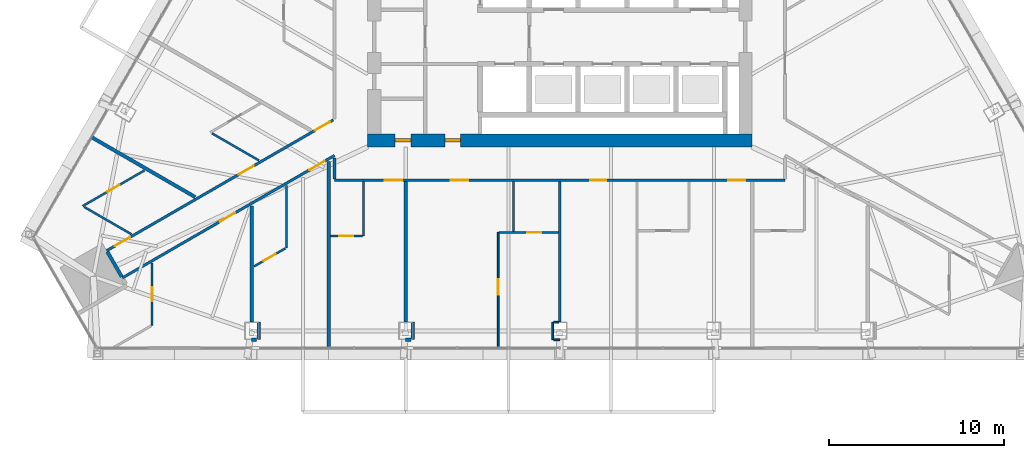
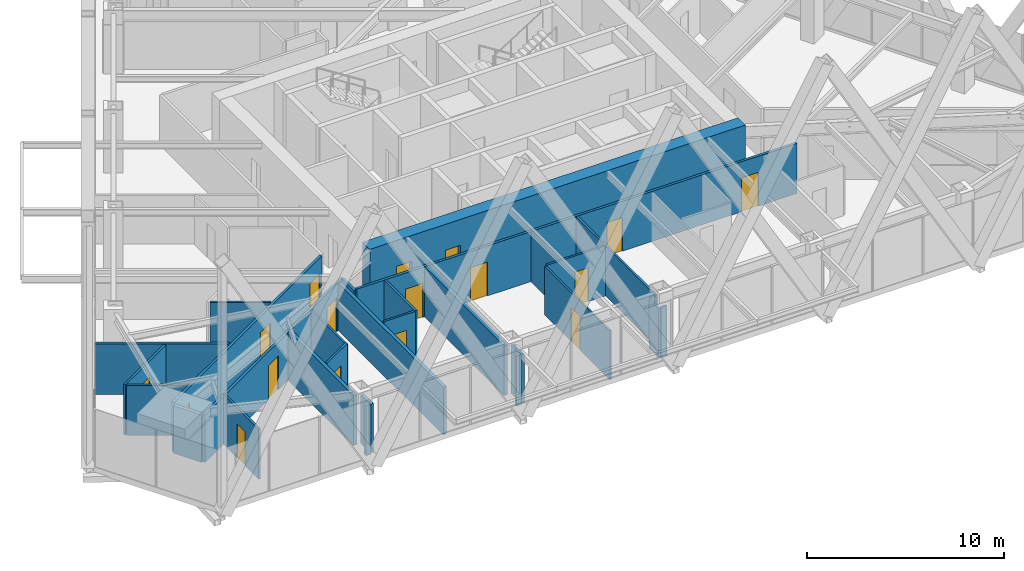
# One storey, part 13 of 19: 29 walls, 17 doors, 17 openings.
"""IFC4 building model written with IfcOpenShell, lengths in metres."""

from ifc_helpers import new_model, si_unit, direction, frame, frame_2d, origin, place, context, subcontext, project, spatial, rectangle, extrude, material, layer, layer_set, type_object, element, fill, save


model = new_model("IFC4")

# Units and contexts
model_context = context("Model", 3, precision=1e-05, world=origin(), true_north=direction((0.0, 1.0)))
body_context = subcontext(model_context, "Body", "Model", "MODEL_VIEW")
ifc_project = project(units=[si_unit("LENGTHUNIT", "METRE"), si_unit("AREAUNIT", "SQUARE_METRE"), si_unit("VOLUMEUNIT", "CUBIC_METRE"), si_unit("PLANEANGLEUNIT", "RADIAN"), si_unit("MASSUNIT", "GRAM", prefix="KILO")], contexts=[model_context])

# Site, building, storey
site_placement = place(None, origin())
site = spatial("IfcSite", under=ifc_project, at=site_placement, CompositionType="ELEMENT")
building_placement = place(site_placement, origin())
building = spatial("IfcBuilding", under=site, at=building_placement, Name="Firuza Gate Tower and Library", CompositionType="ELEMENT")
storey_placement = place(building_placement, frame((0.0, 0.0, 187.0)))
storey = spatial("IfcBuildingStorey", under=building, at=storey_placement, Name="L43", CompositionType="ELEMENT", Elevation=187.0)

# Wall, openings, doors
ifc_material_1 = material(Name="Concrete C80/95", Category="concrete")
ifc_layer_1 = layer(ifc_material_1, 0.75)
ifc_layer_set_1 = layer_set([ifc_layer_1], Name="Core wall 750 C80/95")
wall_type_1 = type_object("IfcWallType", Name="Core wall 750 C80/95", PredefinedType="SHEAR", material=ifc_layer_set_1)
wall_1_placement = place(storey_placement, frame((64.0, 67.375, 0.0), z_axis=(0.0, 0.0, 1.0), x_axis=(1.0, 0.0, 0.0)))
wall_1 = element("IfcWall", 1, at=wall_1_placement, inside=storey, type_object=wall_type_1, Name="Core wall L43 1", PredefinedType="SHEAR", context=body_context, shape_type="SweptSolid", body=[
    extrude(rectangle(XDim=22.0, YDim=0.75, at=frame_2d((11.0, 0.0))), origin(), (0.0, 0.0, 1.0), 3.699951171875),
])
opening_1_placement = place(wall_1_placement, frame((1.574951171875, 0.0, 0.0)))
opening_1 = element("IfcOpeningElement", 2, at=opening_1_placement, cuts=wall_1, Name="Opening L43-K22", PredefinedType="OPENING", context=body_context, shape_type="SweptSolid", body=[
    extrude(rectangle(XDim=0.89990234375, YDim=2.10009765625, at=frame_2d((0.449951171875, 1.050048828125))), frame((0.0, 0.385009765625, 0.0), z_axis=(0.0, -1.0, 0.0), x_axis=(1.0, 0.0, 0.0)), (0.0, 0.0, 1.0), 0.77001953125),
])
opening_2_placement = place(wall_1_placement, frame((4.425048828125, 0.0, 0.0)))
opening_2 = element("IfcOpeningElement", 3, at=opening_2_placement, cuts=wall_1, Name="Opening L43-K24", PredefinedType="OPENING", context=body_context, shape_type="SweptSolid", body=[
    extrude(rectangle(XDim=0.89990234375, YDim=2.10009765625, at=frame_2d((0.449951171875, 1.050048828125))), frame((0.0, 0.385009765625, 0.0), z_axis=(0.0, -1.0, 0.0), x_axis=(1.0, 0.0, 0.0)), (0.0, 0.0, 1.0), 0.77001953125),
])
ifc_material_2 = material(Name="Steel", Category="steel")
door_type_1 = type_object("IfcDoorType", Name="Fire door 900x2100 FD30S", OperationType="NOTDEFINED", PredefinedType="DOOR", material=ifc_material_2)
door_1_placement = place(opening_1_placement, origin())
door_1 = element("IfcDoor", 4, at=door_1_placement, inside=storey, type_object=door_type_1, Name="Door L43-K22", OperationType="SINGLE_SWING_LEFT", OverallHeight=2.10009765625, OverallWidth=0.89990234375, PredefinedType="DOOR", context=body_context, shape_type="SweptSolid", body=[
    extrude(rectangle(XDim=0.89990234375, YDim=2.10009765625, at=frame_2d((0.449951171875, 1.050048828125))), frame((0.0, 0.094970703125, 0.0), z_axis=(0.0, -1.0, 0.0), x_axis=(1.0, 0.0, 0.0)), (0.0, 0.0, 1.0), 0.18994140625),
])
fill(opening_1, door_1)
door_2_placement = place(opening_2_placement, origin())
door_2 = element("IfcDoor", 5, at=door_2_placement, inside=storey, type_object=door_type_1, Name="Door L43-K24", OperationType="SINGLE_SWING_LEFT", OverallHeight=2.10009765625, OverallWidth=0.89990234375, PredefinedType="DOOR", context=body_context, shape_type="SweptSolid", body=[
    extrude(rectangle(XDim=0.89990234375, YDim=2.10009765625, at=frame_2d((0.449951171875, 1.050048828125))), frame((0.0, 0.094970703125, 0.0), z_axis=(0.0, -1.0, 0.0), x_axis=(1.0, 0.0, 0.0)), (0.0, 0.0, 1.0), 0.18994140625),
])
fill(opening_2, door_2)

ifc_material_3 = material(Name="Gypsum board partition")
ifc_layer_2 = layer(ifc_material_3, 0.14990234375)
ifc_layer_set_2 = layer_set([ifc_layer_2], Name="Corridor wall 150 double board on steel studs")
wall_type_2 = type_object("IfcWallType", Name="Corridor wall 150 double board on steel studs", PredefinedType="PARTITIONING", material=ifc_layer_set_2)
wall_2_placement = place(storey_placement, frame((87.89990234375, 65.10009765625, 0.0), z_axis=(0.0, 0.0, 1.0), x_axis=(-1.0, 0.0, 0.0)))
wall_2 = element("IfcWall", 6, at=wall_2_placement, inside=storey, type_object=wall_type_2, Name="f:L43:w009", PredefinedType="PARTITIONING", context=body_context, shape_type="SweptSolid", body=[
    extrude(rectangle(XDim=25.7998046875, YDim=0.14990234375, at=frame_2d((12.89990234375, 0.0))), origin(), (0.0, 0.0, 1.0), 3.10009765625),
])
opening_3_placement = place(wall_2_placement, frame((2.26416015625, 0.0, 0.0)))
opening_3 = element("IfcOpeningElement", 7, at=opening_3_placement, cuts=wall_2, Name="Opening L43-05", PredefinedType="OPENING", context=body_context, shape_type="SweptSolid", body=[
    extrude(rectangle(XDim=1.0, YDim=2.10009765625, at=frame_2d((0.5, 1.050048828125))), frame((0.0, 0.0849609375, 0.0), z_axis=(0.0, -1.0, 0.0), x_axis=(1.0, 0.0, 0.0)), (0.0, 0.0, 1.0), 0.169921875),
])
opening_4_placement = place(wall_2_placement, frame((10.244140625, 0.0, 0.0)))
opening_4 = element("IfcOpeningElement", 8, at=opening_4_placement, cuts=wall_2, Name="Opening L43-06", PredefinedType="OPENING", context=body_context, shape_type="SweptSolid", body=[
    extrude(rectangle(XDim=0.89990234375, YDim=2.10009765625, at=frame_2d((0.449951171875, 1.050048828125))), frame((0.0, 0.0849609375, 0.0), z_axis=(0.0, -1.0, 0.0), x_axis=(1.0, 0.0, 0.0)), (0.0, 0.0, 1.0), 0.169921875),
])
opening_5_placement = place(wall_2_placement, frame((18.135498046875, 0.0, 0.0)))
opening_5 = element("IfcOpeningElement", 9, at=opening_5_placement, cuts=wall_2, Name="Opening L43-07", PredefinedType="OPENING", context=body_context, shape_type="SweptSolid", body=[
    extrude(rectangle(XDim=1.0, YDim=2.10009765625, at=frame_2d((0.5, 1.050048828125))), frame((0.0, 0.0849609375, 0.0), z_axis=(0.0, -1.0, 0.0), x_axis=(1.0, 0.0, 0.0)), (0.0, 0.0, 1.0), 0.169921875),
])
opening_6_placement = place(wall_2_placement, frame((21.935791015625, 0.0, 0.0)))
opening_6 = element("IfcOpeningElement", 10, at=opening_6_placement, cuts=wall_2, Name="Opening L43-08", PredefinedType="OPENING", context=body_context, shape_type="SweptSolid", body=[
    extrude(rectangle(XDim=1.0, YDim=2.10009765625, at=frame_2d((0.5, 1.050048828125))), frame((0.0, 0.0849609375, 0.0), z_axis=(0.0, -1.0, 0.0), x_axis=(1.0, 0.0, 0.0)), (0.0, 0.0, 1.0), 0.169921875),
])
ifc_material_4 = material(Name="Steel door and timber leaf", Category="steel")
door_type_2 = type_object("IfcDoorType", Name="Fire door 1000 x 2100 steel frame, timber leaf", OperationType="NOTDEFINED", PredefinedType="DOOR", material=ifc_material_4)
door_3_placement = place(opening_3_placement, origin())
door_3 = element("IfcDoor", 11, at=door_3_placement, inside=storey, type_object=door_type_2, Name="f:L43:d005", OperationType="SINGLE_SWING_RIGHT", OverallHeight=2.10009765625, OverallWidth=1.0, PredefinedType="DOOR", context=body_context, shape_type="SweptSolid", body=[
    extrude(rectangle(XDim=1.0, YDim=2.10009765625, at=frame_2d((0.5, 1.050048828125))), frame((0.0, 0.02490234375, 0.0), z_axis=(0.0, -1.0, 0.0), x_axis=(1.0, 0.0, 0.0)), (0.0, 0.0, 1.0), 0.050048828125),
])
fill(opening_3, door_3)
door_4_placement = place(opening_5_placement, origin())
door_4 = element("IfcDoor", 12, at=door_4_placement, inside=storey, type_object=door_type_2, Name="f:L43:d007", OperationType="SINGLE_SWING_RIGHT", OverallHeight=2.10009765625, OverallWidth=1.0, PredefinedType="DOOR", context=body_context, shape_type="SweptSolid", body=[
    extrude(rectangle(XDim=1.0, YDim=2.10009765625, at=frame_2d((0.5, 1.050048828125))), frame((0.0, 0.02490234375, 0.0), z_axis=(0.0, -1.0, 0.0), x_axis=(1.0, 0.0, 0.0)), (0.0, 0.0, 1.0), 0.050048828125),
])
fill(opening_5, door_4)
door_5_placement = place(opening_6_placement, origin())
door_5 = element("IfcDoor", 13, at=door_5_placement, inside=storey, type_object=door_type_2, Name="f:L43:d008", OperationType="SINGLE_SWING_RIGHT", OverallHeight=2.10009765625, OverallWidth=1.0, PredefinedType="DOOR", context=body_context, shape_type="SweptSolid", body=[
    extrude(rectangle(XDim=1.0, YDim=2.10009765625, at=frame_2d((0.5, 1.050048828125))), frame((0.0, 0.02490234375, 0.0), z_axis=(0.0, -1.0, 0.0), x_axis=(1.0, 0.0, 0.0)), (0.0, 0.0, 1.0), 0.050048828125),
])
fill(opening_6, door_5)
ifc_material_5 = material(Name="Steel door and timber leaf", Category="steel")
door_type_3 = type_object("IfcDoorType", Name="Fire door 900 x 2100 steel frame, timber leaf", OperationType="NOTDEFINED", PredefinedType="DOOR", material=ifc_material_5)
door_6_placement = place(opening_4_placement, origin())
door_6 = element("IfcDoor", 14, at=door_6_placement, inside=storey, type_object=door_type_3, Name="f:L43:d006", OperationType="SINGLE_SWING_LEFT", OverallHeight=2.10009765625, OverallWidth=0.89990234375, PredefinedType="DOOR", context=body_context, shape_type="SweptSolid", body=[
    extrude(rectangle(XDim=0.89990234375, YDim=2.10009765625, at=frame_2d((0.449951171875, 1.050048828125))), frame((0.0, 0.02490234375, 0.0), z_axis=(0.0, -1.0, 0.0), x_axis=(1.0, 0.0, 0.0)), (0.0, 0.0, 1.0), 0.050048828125),
])
fill(opening_4, door_6)

wall_3_placement = place(storey_placement, frame((62.099853515625, 66.512939453125, 0.0), z_axis=(0.0, 0.0, 1.0), x_axis=(-0.866025334814, -0.500000119461, 0.0)))
wall_3 = element("IfcWall", 15, at=wall_3_placement, inside=storey, type_object=wall_type_2, Name="f:L43:w025", PredefinedType="PARTITIONING", context=body_context, shape_type="SweptSolid", body=[
    extrude(rectangle(XDim=14.02978515625, YDim=0.14990234375, at=frame_2d((7.014892578125, 0.0))), origin(), (0.0, 0.0, 1.0), 2.947021484375),
])
opening_7_placement = place(wall_3_placement, frame((0.656005859375, 0.0, 0.0)))
opening_7 = element("IfcOpeningElement", 16, at=opening_7_placement, cuts=wall_3, Name="Opening L43-15", PredefinedType="OPENING", context=body_context, shape_type="SweptSolid", body=[
    extrude(rectangle(XDim=1.0, YDim=2.10009765625, at=frame_2d((0.5, 1.050048828125))), frame((0.0, 0.0849609375, 0.0), z_axis=(0.0, -1.0, 0.0), x_axis=(1.0, 0.0, 0.0)), (0.0, 0.0, 1.0), 0.169921875),
])
opening_8_placement = place(wall_3_placement, frame((6.581787109375, 0.0, 0.0)))
opening_8 = element("IfcOpeningElement", 17, at=opening_8_placement, cuts=wall_3, Name="Opening L43-16", PredefinedType="OPENING", context=body_context, shape_type="SweptSolid", body=[
    extrude(rectangle(XDim=1.0, YDim=2.10009765625, at=frame_2d((0.5, 1.050048828125))), frame((0.0, 0.0849609375, 0.0), z_axis=(0.0, -1.0, 0.0), x_axis=(1.0, 0.0, 0.0)), (0.0, 0.0, 1.0), 0.169921875),
])
door_7_placement = place(opening_7_placement, origin())
door_7 = element("IfcDoor", 18, at=door_7_placement, inside=storey, type_object=door_type_2, Name="f:L43:d015", OperationType="SINGLE_SWING_RIGHT", OverallHeight=2.10009765625, OverallWidth=1.0, PredefinedType="DOOR", context=body_context, shape_type="SweptSolid", body=[
    extrude(rectangle(XDim=1.0, YDim=2.10009765625, at=frame_2d((0.5, 1.050048828125))), frame((0.0, 0.02490234375, 0.0), z_axis=(0.0, -1.0, 0.0), x_axis=(1.0, 0.0, 0.0)), (0.0, 0.0, 1.0), 0.050048828125),
])
fill(opening_7, door_7)
door_8_placement = place(opening_8_placement, origin())
door_8 = element("IfcDoor", 19, at=door_8_placement, inside=storey, type_object=door_type_2, Name="f:L43:d016", OperationType="SINGLE_SWING_RIGHT", OverallHeight=2.10009765625, OverallWidth=1.0, PredefinedType="DOOR", context=body_context, shape_type="SweptSolid", body=[
    extrude(rectangle(XDim=1.0, YDim=2.10009765625, at=frame_2d((0.5, 1.050048828125))), frame((0.0, 0.02490234375, 0.0), z_axis=(0.0, -1.0, 0.0), x_axis=(1.0, 0.0, 0.0)), (0.0, 0.0, 1.0), 0.050048828125),
])
fill(opening_8, door_8)

wall_4_placement = place(storey_placement, frame((49.050048828125, 61.05712890625, 0.0), z_axis=(0.0, 0.0, 1.0), x_axis=(0.866027379905, 0.499996577244, 0.0)))
wall_4 = element("IfcWall", 20, at=wall_4_placement, inside=storey, type_object=wall_type_2, Name="f:L43:w028", PredefinedType="PARTITIONING", context=body_context, shape_type="SweptSolid", body=[
    extrude(rectangle(XDim=14.98193359375, YDim=0.14990234375, at=frame_2d((7.490966796875, 0.0))), origin(), (0.0, 0.0, 1.0), 3.10009765625),
])
opening_9_placement = place(wall_4_placement, frame((0.532470703125, 0.0, 0.0)))
opening_9 = element("IfcOpeningElement", 21, at=opening_9_placement, cuts=wall_4, Name="Opening L43-17", PredefinedType="OPENING", context=body_context, shape_type="SweptSolid", body=[
    extrude(rectangle(XDim=1.0, YDim=2.10009765625, at=frame_2d((0.5, 1.050048828125))), frame((0.0, 0.0849609375, 0.0), z_axis=(0.0, -1.0, 0.0), x_axis=(1.0, 0.0, 0.0)), (0.0, 0.0, 1.0), 0.169921875),
])
opening_10_placement = place(wall_4_placement, frame((8.724853515625, 0.0, 0.0)))
opening_10 = element("IfcOpeningElement", 22, at=opening_10_placement, cuts=wall_4, Name="Opening L43-18", PredefinedType="OPENING", context=body_context, shape_type="SweptSolid", body=[
    extrude(rectangle(XDim=1.0, YDim=2.10009765625, at=frame_2d((0.5, 1.050048828125))), frame((0.0, 0.0849609375, 0.0), z_axis=(0.0, -1.0, 0.0), x_axis=(1.0, 0.0, 0.0)), (0.0, 0.0, 1.0), 0.169921875),
])
opening_11_placement = place(wall_4_placement, frame((13.760498046875, 0.0, 0.0)))
opening_11 = element("IfcOpeningElement", 23, at=opening_11_placement, cuts=wall_4, Name="Opening L43-19", PredefinedType="OPENING", context=body_context, shape_type="SweptSolid", body=[
    extrude(rectangle(XDim=1.0, YDim=2.10009765625, at=frame_2d((0.5, 1.050048828125))), frame((0.0, 0.0849609375, 0.0), z_axis=(0.0, -1.0, 0.0), x_axis=(1.0, 0.0, 0.0)), (0.0, 0.0, 1.0), 0.169921875),
])
door_9_placement = place(opening_9_placement, origin())
door_9 = element("IfcDoor", 24, at=door_9_placement, inside=storey, type_object=door_type_2, Name="f:L43:d017", OperationType="SINGLE_SWING_LEFT", OverallHeight=2.10009765625, OverallWidth=1.0, PredefinedType="DOOR", context=body_context, shape_type="SweptSolid", body=[
    extrude(rectangle(XDim=1.0, YDim=2.10009765625, at=frame_2d((0.5, 1.050048828125))), frame((0.0, 0.02490234375, 0.0), z_axis=(0.0, -1.0, 0.0), x_axis=(1.0, 0.0, 0.0)), (0.0, 0.0, 1.0), 0.050048828125),
])
fill(opening_9, door_9)
door_10_placement = place(opening_10_placement, origin())
door_10 = element("IfcDoor", 25, at=door_10_placement, inside=storey, type_object=door_type_2, Name="f:L43:d018", OperationType="SINGLE_SWING_LEFT", OverallHeight=2.10009765625, OverallWidth=1.0, PredefinedType="DOOR", context=body_context, shape_type="SweptSolid", body=[
    extrude(rectangle(XDim=1.0, YDim=2.10009765625, at=frame_2d((0.5, 1.050048828125))), frame((0.0, 0.02490234375, 0.0), z_axis=(0.0, -1.0, 0.0), x_axis=(1.0, 0.0, 0.0)), (0.0, 0.0, 1.0), 0.050048828125),
])
fill(opening_10, door_10)
door_11_placement = place(opening_11_placement, origin())
door_11 = element("IfcDoor", 26, at=door_11_placement, inside=storey, type_object=door_type_2, Name="f:L43:d019", OperationType="SINGLE_SWING_LEFT", OverallHeight=2.10009765625, OverallWidth=1.0, PredefinedType="DOOR", context=body_context, shape_type="SweptSolid", body=[
    extrude(rectangle(XDim=1.0, YDim=2.10009765625, at=frame_2d((0.5, 1.050048828125))), frame((0.0, 0.02490234375, 0.0), z_axis=(0.0, -1.0, 0.0), x_axis=(1.0, 0.0, 0.0)), (0.0, 0.0, 1.0), 0.050048828125),
])
fill(opening_11, door_11)

# Walls
wall_5_placement = place(storey_placement, frame((62.10009765625, 65.175048828125, 0.0), z_axis=(0.0, 0.0, 1.0), x_axis=(0.0, 1.0, 0.0)))
element("IfcWall", 27, at=wall_5_placement, inside=storey, type_object=wall_type_2, Name="f:L43:w073", PredefinedType="PARTITIONING", context=body_context, shape_type="SweptSolid", body=[
    extrude(rectangle(XDim=1.201416015625, YDim=0.14990234375, at=frame_2d((0.6005859375, 0.0))), origin(), (0.0, 0.0, 1.0), 2.947021484375),
])
ifc_material_6 = material(Name="Gypsum board partition")
ifc_layer_3 = layer(ifc_material_6, 0.199951171875)
ifc_layer_set_3 = layer_set([ifc_layer_3], Name="Demising wall 200 acoustic double stud")
wall_type_3 = type_object("IfcWallType", Name="Demising wall 200 acoustic double stud", PredefinedType="PARTITIONING", material=ifc_layer_set_3)
for number, where, z_axis, x_axis, name in (
    (28, (57.352294921875, 55.9599609375, 0.0), (0.0, 0.0, 1.0), (1.0, 0.0, 0.0), "f:L43:w000"),
    (29, (66.176025390625, 55.9599609375, 0.0), (0.0, 0.0, 1.0), (1.0, 0.0, 0.0), "f:L43:w001"),
):
    element("IfcWall", number, at=place(storey_placement, frame(where, z_axis=z_axis, x_axis=x_axis)), inside=storey, type_object=wall_type_3, Name=name, PredefinedType="PARTITIONING", context=body_context, shape_type="SweptSolid", body=[
        extrude(rectangle(XDim=0.2900390625, YDim=0.199951171875, at=frame_2d((0.14501953125, 0.0))), origin(), (0.0, 0.0, 1.0), 3.10009765625),
    ])
wall_6_placement = place(storey_placement, frame((66.575927734375, 55.959716796875, 0.0), z_axis=(0.0, 0.0, 1.0), x_axis=(0.0, 1.0, 0.0)))
element("IfcWall", 30, at=wall_6_placement, inside=storey, type_object=wall_type_3, Name="f:L43:w069", PredefinedType="PARTITIONING", context=body_context, shape_type="SweptSolid", body=[
    extrude(rectangle(XDim=1.0, YDim=0.199951171875, at=frame_2d((0.5, 0.0))), origin(), (0.0, 0.0, 1.0), 3.02197265625),
])
wall_7_placement = place(storey_placement, frame((66.176025390625, 56.959716796875, 0.0), z_axis=(0.0, 0.0, 1.0), x_axis=(0.0, 1.0, 0.0)))
element("IfcWall", 31, at=wall_7_placement, inside=storey, type_object=wall_type_3, Name="f:L43:w071", PredefinedType="PARTITIONING", context=body_context, shape_type="SweptSolid", body=[
    extrude(rectangle(XDim=8.065185546875, YDim=0.199951171875, at=frame_2d((4.03271484375, 0.0))), origin(), (0.0, 0.0, 1.0), 3.10009765625),
])
wall_8_placement = place(storey_placement, frame((61.763916015625, 55.499755859375, 0.0), z_axis=(0.0, 0.0, 1.0), x_axis=(0.0, 1.0, 0.0)))
element("IfcWall", 32, at=wall_8_placement, inside=storey, type_object=wall_type_3, Name="f:L43:w075", PredefinedType="PARTITIONING", context=body_context, shape_type="SweptSolid", body=[
    extrude(rectangle(XDim=10.672607421875, YDim=0.199951171875, at=frame_2d((5.33642578125, 0.0))), origin(), (0.0, 0.0, 1.0), 2.947021484375),
])
wall_9_placement = place(storey_placement, frame((57.751953125, 55.959716796875, 0.0), z_axis=(0.0, 0.0, 1.0), x_axis=(0.0, 1.0, 0.0)))
element("IfcWall", 33, at=wall_9_placement, inside=storey, type_object=wall_type_3, Name="f:L43:w078", PredefinedType="PARTITIONING", context=body_context, shape_type="SweptSolid", body=[
    extrude(rectangle(XDim=1.0, YDim=0.199951171875, at=frame_2d((0.5, 0.0))), origin(), (0.0, 0.0, 1.0), 3.02197265625),
])
wall_10_placement = place(storey_placement, frame((57.35205078125, 56.959716796875, 0.0), z_axis=(0.0, 0.0, 1.0), x_axis=(0.0, 1.0, 0.0)))
element("IfcWall", 34, at=wall_10_placement, inside=storey, type_object=wall_type_3, Name="f:L43:w079", PredefinedType="PARTITIONING", context=body_context, shape_type="SweptSolid", body=[
    extrude(rectangle(XDim=6.66552734375, YDim=0.199951171875, at=frame_2d((3.332763671875, 0.0))), origin(), (0.0, 0.0, 1.0), 3.10009765625),
])
wall_11_placement = place(storey_placement, frame((54.119140625, 64.130126953125, 0.0), z_axis=(0.0, 0.0, 1.0), x_axis=(-0.866017662945, 0.500013407287, 0.0)))
element("IfcWall", 35, at=wall_11_placement, inside=storey, type_object=wall_type_3, Name="f:L43:w098", PredefinedType="PARTITIONING", context=body_context, shape_type="SweptSolid", body=[
    extrude(rectangle(XDim=6.851806640625, YDim=0.199951171875, at=frame_2d((3.42578125, 0.0))), origin(), (0.0, 0.0, 1.0), 3.10009765625),
])
wall_12_placement = place(storey_placement, frame((49.912353515625, 59.563232421875, 0.0), z_axis=(0.0, 0.0, 1.0), x_axis=(-0.500055614084, 0.865993292597, 0.0)))
element("IfcWall", 36, at=wall_12_placement, inside=storey, type_object=wall_type_3, Name="f:L43:w103", PredefinedType="PARTITIONING", context=body_context, shape_type="SweptSolid", body=[
    extrude(rectangle(XDim=1.649169921875, YDim=0.199951171875, at=frame_2d((0.82470703125, 0.0))), origin(), (0.0, 0.0, 1.0), 2.947021484375),
])
ifc_material_7 = material(Name="Gypsum board partition")
ifc_layer_4 = layer(ifc_material_7, 0.10009765625)
ifc_layer_set_4 = layer_set([ifc_layer_4], Name="Partition 100 gypsum board on steel studs")
wall_type_4 = type_object("IfcWallType", Name="Partition 100 gypsum board on steel studs", PredefinedType="PARTITIONING", material=ifc_layer_set_4)
wall_13_placement = place(storey_placement, frame((74.650390625, 55.9599609375, 0.0), z_axis=(0.0, 0.0, 1.0), x_axis=(1.0, 0.0, 0.0)))
element("IfcWall", 37, at=wall_13_placement, inside=storey, type_object=wall_type_4, Name="f:L43:w002", PredefinedType="PARTITIONING", context=body_context, shape_type="SweptSolid", body=[
    extrude(rectangle(XDim=0.34912109375, YDim=0.10009765625, at=frame_2d((0.174560546875, 0.0))), origin(), (0.0, 0.0, 1.0), 3.10009765625),
])
wall_14_placement = place(storey_placement, frame((74.650390625, 56.9599609375, 0.0), z_axis=(0.0, 0.0, 1.0), x_axis=(1.0, 0.0, 0.0)))
element("IfcWall", 38, at=wall_14_placement, inside=storey, type_object=wall_type_4, Name="f:L43:w004", PredefinedType="PARTITIONING", context=body_context, shape_type="SweptSolid", body=[
    extrude(rectangle(XDim=0.2890625, YDim=0.10009765625, at=frame_2d((0.14453125, 0.0))), origin(), (0.0, 0.0, 1.0), 3.10009765625),
])
wall_15_placement = place(storey_placement, frame((74.60009765625, 55.960205078125, 0.0), z_axis=(0.0, 0.0, 1.0), x_axis=(0.0, 1.0, 0.0)))
element("IfcWall", 39, at=wall_15_placement, inside=storey, type_object=wall_type_4, Name="f:L43:w060", PredefinedType="PARTITIONING", context=body_context, shape_type="SweptSolid", body=[
    extrude(rectangle(XDim=0.9990234375, YDim=0.10009765625, at=frame_2d((0.49951171875, 0.0))), origin(), (0.0, 0.0, 1.0), 3.02197265625),
])

# Wall, opening, door
wall_16_placement = place(storey_placement, frame((71.469970703125, 62.10009765625, 0.0), z_axis=(0.0, 0.0, 1.0), x_axis=(0.0, -1.0, 0.0)))
wall_16 = element("IfcWall", 40, at=wall_16_placement, inside=storey, type_object=wall_type_4, Name="f:L43:w065", PredefinedType="PARTITIONING", context=body_context, shape_type="SweptSolid", body=[
    extrude(rectangle(XDim=6.600341796875, YDim=0.10009765625, at=frame_2d((3.30029296875, 0.0))), origin(), (0.0, 0.0, 1.0), 3.02197265625),
])
opening_12_placement = place(wall_16_placement, frame((2.670166015625, 0.0, 0.0)))
opening_12 = element("IfcOpeningElement", 41, at=opening_12_placement, cuts=wall_16, Name="Opening L43-32", PredefinedType="OPENING", context=body_context, shape_type="SweptSolid", body=[
    extrude(rectangle(XDim=0.89990234375, YDim=2.10009765625, at=frame_2d((0.449951171875, 1.050048828125))), frame((0.0, 0.06005859375, 0.0), z_axis=(0.0, -1.0, 0.0), x_axis=(1.0, 0.0, 0.0)), (0.0, 0.0, 1.0), 0.1201171875),
])
ifc_material_8 = material(Name="Timber door", Category="wood")
door_type_4 = type_object("IfcDoorType", Name="Door 900 x 2100 timber leaf", OperationType="NOTDEFINED", PredefinedType="DOOR", material=ifc_material_8)
door_12_placement = place(opening_12_placement, origin())
door_12 = element("IfcDoor", 42, at=door_12_placement, inside=storey, type_object=door_type_4, Name="f:L43:d032", OperationType="SINGLE_SWING_LEFT", OverallHeight=2.10009765625, OverallWidth=0.89990234375, PredefinedType="DOOR", context=body_context, shape_type="SweptSolid", body=[
    extrude(rectangle(XDim=0.89990234375, YDim=2.10009765625, at=frame_2d((0.449951171875, 1.050048828125))), frame((0.0, 0.02490234375, 0.0), z_axis=(0.0, -1.0, 0.0), x_axis=(1.0, 0.0, 0.0)), (0.0, 0.0, 1.0), 0.050048828125),
])
fill(opening_12, door_12)

ifc_material_9 = material(Name="Gypsum board partition")
ifc_layer_5 = layer(ifc_material_9, 0.1201171875)
ifc_layer_set_5 = layer_set([ifc_layer_5], Name="Wet-area partition 120 moisture-resistant board")
wall_type_5 = type_object("IfcWallType", Name="Wet-area partition 120 moisture-resistant board", PredefinedType="PARTITIONING", material=ifc_layer_set_5)
wall_17_placement = place(storey_placement, frame((61.8642578125, 61.89990234375, 0.0), z_axis=(0.0, 0.0, 1.0), x_axis=(1.0, 0.0, 0.0)))
wall_17 = element("IfcWall", 43, at=wall_17_placement, inside=storey, type_object=wall_type_5, Name="f:L43:w005", PredefinedType="PARTITIONING", context=body_context, shape_type="SweptSolid", body=[
    extrude(rectangle(XDim=1.825439453125, YDim=0.1201171875, at=frame_2d((0.91259765625, 0.0))), origin(), (0.0, 0.0, 1.0), 3.10009765625),
])
opening_13_placement = place(wall_17_placement, frame((0.5126953125, 0.0, 0.0)))
opening_13 = element("IfcOpeningElement", 44, at=opening_13_placement, cuts=wall_17, Name="Opening L43-01", PredefinedType="OPENING", context=body_context, shape_type="SweptSolid", body=[
    extrude(rectangle(XDim=0.800048828125, YDim=2.10009765625, at=frame_2d((0.39990234375, 1.050048828125))), frame((0.0, 0.070068359375, 0.0), z_axis=(0.0, -1.0, 0.0), x_axis=(1.0, 0.0, 0.0)), (0.0, 0.0, 1.0), 0.14013671875),
])
ifc_material_10 = material(Name="Timber door", Category="wood")
door_type_5 = type_object("IfcDoorType", Name="Door 800 x 2100 timber leaf", OperationType="NOTDEFINED", PredefinedType="DOOR", material=ifc_material_10)
door_13_placement = place(opening_13_placement, origin())
door_13 = element("IfcDoor", 45, at=door_13_placement, inside=storey, type_object=door_type_5, Name="f:L43:d001", OperationType="SINGLE_SWING_RIGHT", OverallHeight=2.10009765625, OverallWidth=0.800048828125, PredefinedType="DOOR", context=body_context, shape_type="SweptSolid", body=[
    extrude(rectangle(XDim=0.800048828125, YDim=2.10009765625, at=frame_2d((0.39990234375, 1.050048828125))), frame((0.0, 0.02490234375, 0.0), z_axis=(0.0, -1.0, 0.0), x_axis=(1.0, 0.0, 0.0)), (0.0, 0.0, 1.0), 0.050048828125),
])
fill(opening_13, door_13)

wall_18_placement = place(storey_placement, frame((71.5205078125, 62.10009765625, 0.0), z_axis=(0.0, 0.0, 1.0), x_axis=(1.0, 0.0, 0.0)))
wall_18 = element("IfcWall", 46, at=wall_18_placement, inside=storey, type_object=wall_type_5, Name="f:L43:w006", PredefinedType="PARTITIONING", context=body_context, shape_type="SweptSolid", body=[
    extrude(rectangle(XDim=3.41943359375, YDim=0.1201171875, at=frame_2d((1.709716796875, 0.0))), origin(), (0.0, 0.0, 1.0), 3.10009765625),
])
opening_14_placement = place(wall_18_placement, frame((1.6259765625, 0.0, 0.0)))
opening_14 = element("IfcOpeningElement", 47, at=opening_14_placement, cuts=wall_18, Name="Opening L43-02", PredefinedType="OPENING", context=body_context, shape_type="SweptSolid", body=[
    extrude(rectangle(XDim=0.800048828125, YDim=2.10009765625, at=frame_2d((0.39990234375, 1.050048828125))), frame((0.0, 0.070068359375, 0.0), z_axis=(0.0, -1.0, 0.0), x_axis=(1.0, 0.0, 0.0)), (0.0, 0.0, 1.0), 0.14013671875),
])
door_14_placement = place(opening_14_placement, origin())
door_14 = element("IfcDoor", 48, at=door_14_placement, inside=storey, type_object=door_type_5, Name="f:L43:d002", OperationType="SINGLE_SWING_LEFT", OverallHeight=2.10009765625, OverallWidth=0.800048828125, PredefinedType="DOOR", context=body_context, shape_type="SweptSolid", body=[
    extrude(rectangle(XDim=0.800048828125, YDim=2.10009765625, at=frame_2d((0.39990234375, 1.050048828125))), frame((0.0, 0.02490234375, 0.0), z_axis=(0.0, -1.0, 0.0), x_axis=(1.0, 0.0, 0.0)), (0.0, 0.0, 1.0), 0.050048828125),
])
fill(opening_14, door_14)

wall_19_placement = place(storey_placement, frame((57.48681640625, 60.154541015625, 0.0), z_axis=(0.0, 0.0, 1.0), x_axis=(0.866018462269, 0.500012022864, 0.0)))
wall_19 = element("IfcWall", 49, at=wall_19_placement, inside=storey, type_object=wall_type_5, Name="f:L43:w022", PredefinedType="PARTITIONING", context=body_context, shape_type="SweptSolid", body=[
    extrude(rectangle(XDim=2.06787109375, YDim=0.1201171875, at=frame_2d((1.033935546875, 0.0))), origin(), (0.0, 0.0, 1.0), 3.10009765625),
])
opening_15_placement = place(wall_19_placement, frame((0.6337890625, 0.0, 0.0)))
opening_15 = element("IfcOpeningElement", 50, at=opening_15_placement, cuts=wall_19, Name="Opening L43-13", PredefinedType="OPENING", context=body_context, shape_type="SweptSolid", body=[
    extrude(rectangle(XDim=0.800048828125, YDim=2.10009765625, at=frame_2d((0.39990234375, 1.050048828125))), frame((0.0, 0.070068359375, 0.0), z_axis=(0.0, -1.0, 0.0), x_axis=(1.0, 0.0, 0.0)), (0.0, 0.0, 1.0), 0.14013671875),
])
door_15_placement = place(opening_15_placement, origin())
door_15 = element("IfcDoor", 51, at=door_15_placement, inside=storey, type_object=door_type_5, Name="f:L43:d013", OperationType="SINGLE_SWING_RIGHT", OverallHeight=2.10009765625, OverallWidth=0.800048828125, PredefinedType="DOOR", context=body_context, shape_type="SweptSolid", body=[
    extrude(rectangle(XDim=0.800048828125, YDim=2.10009765625, at=frame_2d((0.39990234375, 1.050048828125))), frame((0.0, 0.02490234375, 0.0), z_axis=(0.0, -1.0, 0.0), x_axis=(1.0, 0.0, 0.0)), (0.0, 0.0, 1.0), 0.050048828125),
])
fill(opening_15, door_15)

wall_20_placement = place(storey_placement, frame((51.211669921875, 65.65380859375, 0.0), z_axis=(0.0, 0.0, 1.0), x_axis=(-0.866038243659, -0.499977760025, 0.0)))
wall_20 = element("IfcWall", 52, at=wall_20_placement, inside=storey, type_object=wall_type_5, Name="f:L43:w030", PredefinedType="PARTITIONING", context=body_context, shape_type="SweptSolid", body=[
    extrude(rectangle(XDim=4.083740234375, YDim=0.1201171875, at=frame_2d((2.0419921875, 0.0))), origin(), (0.0, 0.0, 1.0), 3.10009765625),
])
opening_16_placement = place(wall_20_placement, frame((1.641845703125, 0.0, 0.0)))
opening_16 = element("IfcOpeningElement", 53, at=opening_16_placement, cuts=wall_20, Name="Opening L43-20", PredefinedType="OPENING", context=body_context, shape_type="SweptSolid", body=[
    extrude(rectangle(XDim=0.800048828125, YDim=2.10009765625, at=frame_2d((0.39990234375, 1.050048828125))), frame((0.0, 0.070068359375, 0.0), z_axis=(0.0, -1.0, 0.0), x_axis=(1.0, 0.0, 0.0)), (0.0, 0.0, 1.0), 0.14013671875),
])
door_16_placement = place(opening_16_placement, origin())
door_16 = element("IfcDoor", 54, at=door_16_placement, inside=storey, type_object=door_type_5, Name="f:L43:d020", OperationType="SINGLE_SWING_LEFT", OverallHeight=2.10009765625, OverallWidth=0.800048828125, PredefinedType="DOOR", context=body_context, shape_type="SweptSolid", body=[
    extrude(rectangle(XDim=0.800048828125, YDim=2.10009765625, at=frame_2d((0.39990234375, 1.050048828125))), frame((0.0, 0.02490234375, 0.0), z_axis=(0.0, -1.0, 0.0), x_axis=(1.0, 0.0, 0.0)), (0.0, 0.0, 1.0), 0.050048828125),
])
fill(opening_16, door_16)

# Walls
wall_21_placement = place(storey_placement, frame((75.0, 56.960205078125, 0.0), z_axis=(0.0, 0.0, 1.0), x_axis=(0.0, 1.0, 0.0)))
element("IfcWall", 55, at=wall_21_placement, inside=storey, type_object=wall_type_5, Name="f:L43:w059", PredefinedType="PARTITIONING", context=body_context, shape_type="SweptSolid", body=[
    extrude(rectangle(XDim=8.064697265625, YDim=0.1201171875, at=frame_2d((4.0322265625, 0.0))), origin(), (0.0, 0.0, 1.0), 3.10009765625),
])
wall_22_placement = place(storey_placement, frame((72.35302734375, 62.159912109375, 0.0), z_axis=(0.0, 0.0, 1.0), x_axis=(0.0, 1.0, 0.0)))
element("IfcWall", 56, at=wall_22_placement, inside=storey, type_object=wall_type_5, Name="f:L43:w063", PredefinedType="PARTITIONING", context=body_context, shape_type="SweptSolid", body=[
    extrude(rectangle(XDim=2.864990234375, YDim=0.1201171875, at=frame_2d((1.4326171875, 0.0))), origin(), (0.0, 0.0, 1.0), 3.10009765625),
])
wall_23_placement = place(storey_placement, frame((63.75, 61.89990234375, 0.0), z_axis=(0.0, 0.0, 1.0), x_axis=(0.0, 1.0, 0.0)))
element("IfcWall", 57, at=wall_23_placement, inside=storey, type_object=wall_type_5, Name="f:L43:w072", PredefinedType="PARTITIONING", context=body_context, shape_type="SweptSolid", body=[
    extrude(rectangle(XDim=3.125, YDim=0.1201171875, at=frame_2d((1.5625, 0.0))), origin(), (0.0, 0.0, 1.0), 3.10009765625),
])
wall_24_placement = place(storey_placement, frame((59.337890625, 61.22314453125, 0.0), z_axis=(0.0, 0.0, 1.0), x_axis=(0.0, 1.0, 0.0)))
element("IfcWall", 58, at=wall_24_placement, inside=storey, type_object=wall_type_5, Name="f:L43:w076", PredefinedType="PARTITIONING", context=body_context, shape_type="SweptSolid", body=[
    extrude(rectangle(XDim=3.568359375, YDim=0.1201171875, at=frame_2d((1.7841796875, 0.0))), origin(), (0.0, 0.0, 1.0), 2.947021484375),
])

# Wall, opening, door
wall_25_placement = place(storey_placement, frame((51.652099609375, 56.785888671875, 0.0), z_axis=(0.0, 0.0, 1.0), x_axis=(0.0, 1.0, 0.0)))
wall_25 = element("IfcWall", 59, at=wall_25_placement, inside=storey, type_object=wall_type_5, Name="f:L43:w080", PredefinedType="PARTITIONING", context=body_context, shape_type="SweptSolid", body=[
    extrude(rectangle(XDim=3.568359375, YDim=0.1201171875, at=frame_2d((1.7841796875, 0.0))), origin(), (0.0, 0.0, 1.0), 3.10009765625),
])
opening_17_placement = place(wall_25_placement, frame((1.38427734375, 0.0, 0.0)))
opening_17 = element("IfcOpeningElement", 60, at=opening_17_placement, cuts=wall_25, Name="Opening L43-37", PredefinedType="OPENING", context=body_context, shape_type="SweptSolid", body=[
    extrude(rectangle(XDim=0.800048828125, YDim=2.10009765625, at=frame_2d((0.39990234375, 1.050048828125))), frame((0.0, 0.070068359375, 0.0), z_axis=(0.0, -1.0, 0.0), x_axis=(1.0, 0.0, 0.0)), (0.0, 0.0, 1.0), 0.14013671875),
])
door_17_placement = place(opening_17_placement, origin())
door_17 = element("IfcDoor", 61, at=door_17_placement, inside=storey, type_object=door_type_5, Name="f:L43:d037", OperationType="SINGLE_SWING_RIGHT", OverallHeight=2.10009765625, OverallWidth=0.800048828125, PredefinedType="DOOR", context=body_context, shape_type="SweptSolid", body=[
    extrude(rectangle(XDim=0.800048828125, YDim=2.10009765625, at=frame_2d((0.39990234375, 1.050048828125))), frame((0.0, 0.02490234375, 0.0), z_axis=(0.0, -1.0, 0.0), x_axis=(1.0, 0.0, 0.0)), (0.0, 0.0, 1.0), 0.050048828125),
])
fill(opening_17, door_17)

# Walls
wall_26_placement = place(storey_placement, frame((57.7763671875, 66.2216796875, 0.0), z_axis=(0.0, 0.0, 1.0), x_axis=(-0.866009247561, 0.500027982357, 0.0)))
element("IfcWall", 62, at=wall_26_placement, inside=storey, type_object=wall_type_5, Name="f:L43:w097", PredefinedType="PARTITIONING", context=body_context, shape_type="SweptSolid", body=[
    extrude(rectangle(XDim=3.112548828125, YDim=0.1201171875, at=frame_2d((1.55615234375, 0.0))), origin(), (0.0, 0.0, 1.0), 3.10009765625),
])
wall_27_placement = place(storey_placement, frame((50.465576171875, 62.000732421875, 0.0), z_axis=(0.0, 0.0, 1.0), x_axis=(-0.866028856698, 0.499994019331, 0.0)))
element("IfcWall", 63, at=wall_27_placement, inside=storey, type_object=wall_type_5, Name="f:L43:w099", PredefinedType="PARTITIONING", context=body_context, shape_type="SweptSolid", body=[
    extrude(rectangle(XDim=3.11279296875, YDim=0.1201171875, at=frame_2d((1.556396484375, 0.0))), origin(), (0.0, 0.0, 1.0), 3.10009765625),
])

save(model, "model.ifc")
